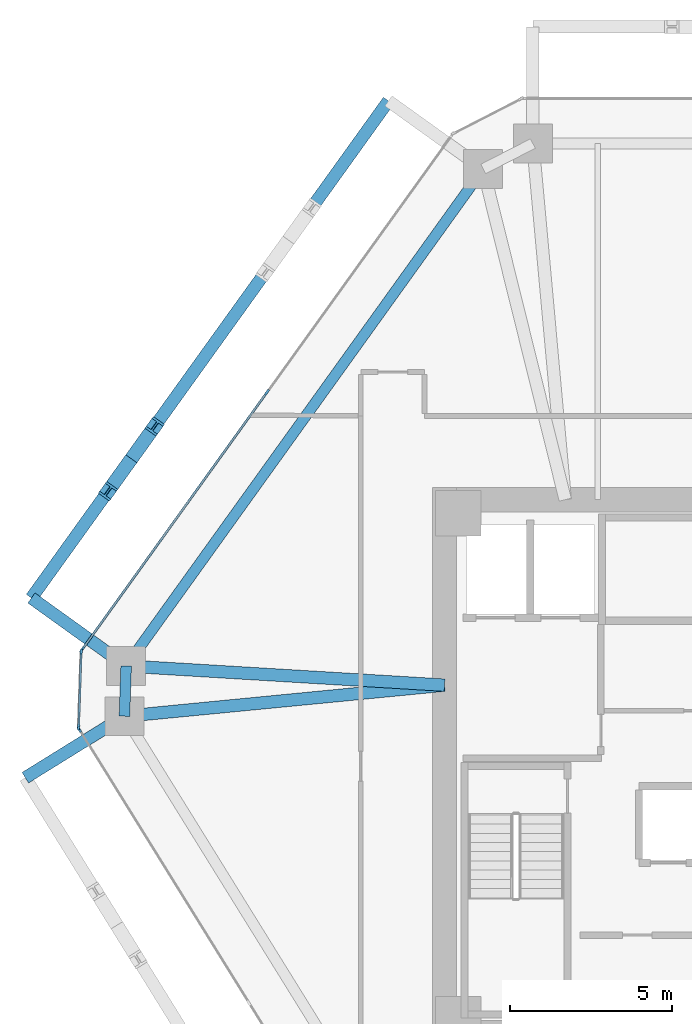
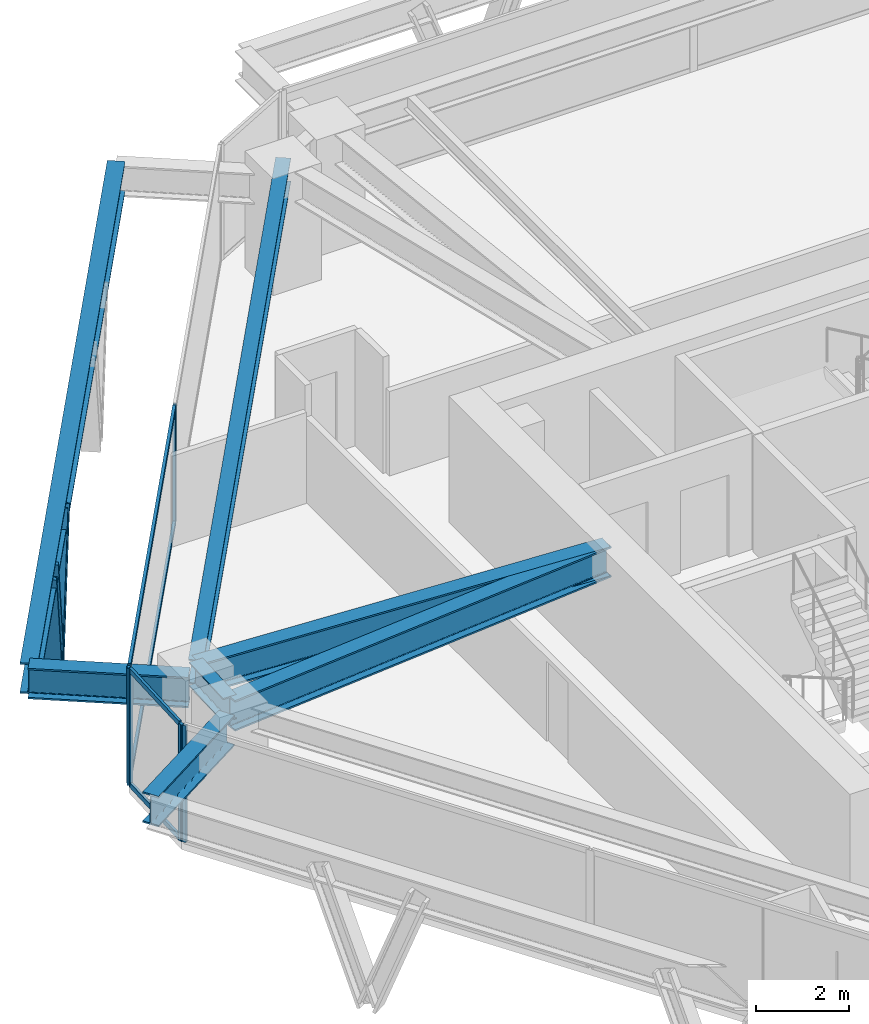
# One storey, part 4 of 13: 11 members, 7 beams, 3 elements without a shape of their own.
"""IFC4 building model written with IfcOpenShell, lengths in metres."""

from ifc_helpers import new_model, si_unit, direction, frame, origin, origin_2d, place, context, subcontext, project, spatial, rectangle, i_section, extrude, source, transform, mapped, material, layer, layer_set, material_profile, profile_set, type_object, type_shapes, element, aggregate, save


model = new_model("IFC4")

# Units and contexts
model_context = context("Model", 3, precision=1e-05, world=origin(), true_north=direction((0.0, 1.0)))
body_context = subcontext(model_context, "Body", "Model", "MODEL_VIEW")
ifc_project = project(units=[si_unit("LENGTHUNIT", "METRE"), si_unit("AREAUNIT", "SQUARE_METRE"), si_unit("VOLUMEUNIT", "CUBIC_METRE"), si_unit("PLANEANGLEUNIT", "RADIAN"), si_unit("MASSUNIT", "GRAM", prefix="KILO")], contexts=[model_context])

# Site, building, storey
site_placement = place(None, origin())
site = spatial("IfcSite", under=ifc_project, at=site_placement, CompositionType="ELEMENT")
building_placement = place(site_placement, origin())
building = spatial("IfcBuilding", under=site, at=building_placement, Name="Durnholm Broadcast Tower", CompositionType="ELEMENT")
storey_placement = place(building_placement, frame((0.0, 0.0, 100.800048828125)))
storey = spatial("IfcBuildingStorey", under=building, at=storey_placement, Name="L26", CompositionType="ELEMENT", Elevation=100.800048828125)

# Beams
ifc_material_1 = material(Name="Steel ASTM A992 Grade 50", Category="steel")
ifc_material_profile_1 = material_profile(ifc_material_1, i_section(OverallWidth=0.385009765625, OverallDepth=0.802978515625, WebThickness=0.023681640625, FlangeThickness=0.0419921875, FilletRadius=0.032958984375, at=origin_2d()), Name="W30X261")
ifc_profile_set_1 = profile_set([ifc_material_profile_1], Name="Steel ASTM A992 Grade 50")
beam_type_1 = type_object("IfcBeamType", Name="BM-EXO-TIE", PredefinedType="USERDEFINED", material=ifc_profile_set_1)
shared_shape_1 = source(origin(), body_context, "Body", "SweptSolid", [
    extrude(i_section(OverallWidth=0.385009765625, OverallDepth=0.802978515625, WebThickness=0.023681640625, FlangeThickness=0.0419921875, FilletRadius=0.032958984375, at=origin_2d()), origin(), (0.0, 0.0, 1.0), 3.4560546875),
])
for number, where, z_axis, x_axis, name in (
    (1, (-20.1669921875, 3.175048828125, 2.30859375), (-0.812164951739, 0.583427880005, 0.0), (-0.583427880005, -0.812164951739, 0.0), "L26 exoskeleton stand-off tie bracket F5.2"),
    (2, (-20.22509765625, 1.465576171875, 2.30859375), (-0.849795112316, -0.527113144481, 0.0), (0.527113144481, -0.849795112316, 0.0), "L26 exoskeleton stand-off tie bracket F6.1"),
):
    element("IfcBeam", number, at=place(storey_placement, frame(where, z_axis=z_axis, x_axis=x_axis)), inside=storey, type_object=beam_type_1, Name=name, ObjectType="GIRDER", PredefinedType="USERDEFINED", context=body_context, shape_type="MappedRepresentation", body=[
        mapped(shared_shape_1, transform((0.0, 0.0, 0.0), x_axis=(1.0, 0.0, 0.0), y_axis=(0.0, 1.0, 0.0), z_axis=(0.0, 0.0, 1.0), scale=1.0)),
    ])
ifc_material_profile_2 = material_profile(ifc_material_1, i_section(OverallWidth=0.3291015625, OverallDepth=0.635009765625, WebThickness=0.017822265625, FlangeThickness=0.031005859375, FilletRadius=0.02783203125, at=origin_2d()), Name="W24X162")
ifc_profile_set_2 = profile_set([ifc_material_profile_2], Name="Steel ASTM A992 Grade 50")
beam_type_2 = type_object("IfcBeamType", Name="STL-SP-W24X162", PredefinedType="SPANDREL", material=ifc_profile_set_2)
shared_shape_2 = source(origin(), body_context, "Body", "SweptSolid", [
    extrude(i_section(OverallWidth=0.3291015625, OverallDepth=0.635009765625, WebThickness=0.017822265625, FlangeThickness=0.031005859375, FilletRadius=0.02783203125, at=origin_2d()), origin(), (0.0, 0.0, 1.0), 1.550537109375),
])
beam_1_placement = place(storey_placement, frame((-20.102783203125, 1.54150390625, 2.7275390625), z_axis=(0.034012135923, 0.999421419928, 0.0), x_axis=(-0.999421419928, 0.034012135923, 0.0)))
element("IfcBeam", 3, at=beam_1_placement, inside=storey, type_object=beam_type_2, Name="L26 perimeter spandrel girder 02", PredefinedType="SPANDREL", context=body_context, shape_type="MappedRepresentation", body=[
    mapped(shared_shape_2, transform((0.0, 0.0, 0.0), x_axis=(1.0, 0.0, 0.0), y_axis=(0.0, 1.0, 0.0), z_axis=(0.0, 0.0, 1.0), scale=1.0)),
])
shared_shape_3 = source(origin(), body_context, "Body", "SweptSolid", [
    extrude(i_section(OverallWidth=0.3291015625, OverallDepth=0.635009765625, WebThickness=0.017822265625, FlangeThickness=0.031005859375, FilletRadius=0.02783203125, at=origin_2d()), origin(), (0.0, 0.0, 1.0), 18.884521484375),
])
type_shapes(beam_type_2, [shared_shape_2, shared_shape_3])
beam_2_placement = place(storey_placement, frame((-20.050048828125, 3.091064453125, 2.7275390625), z_axis=(0.583443434414, 0.812153777827, 0.0), x_axis=(-0.812153777827, 0.583443434414, 0.0)))
element("IfcBeam", 4, at=beam_2_placement, inside=storey, type_object=beam_type_2, Name="L26 perimeter spandrel girder 03", PredefinedType="SPANDREL", context=body_context, shape_type="MappedRepresentation", body=[
    mapped(shared_shape_3, transform((0.0, 0.0, 0.0), x_axis=(1.0, 0.0, 0.0), y_axis=(0.0, 1.0, 0.0), z_axis=(0.0, 0.0, 1.0), scale=1.0)),
])
ifc_material_profile_3 = material_profile(ifc_material_1, i_section(OverallWidth=0.385009765625, OverallDepth=0.802978515625, WebThickness=0.023681640625, FlangeThickness=0.0419921875, FilletRadius=0.032958984375, at=origin_2d()), Name="W30X261")
ifc_profile_set_3 = profile_set([ifc_material_profile_3], Name="Steel ASTM A992 Grade 50")
beam_type_3 = type_object("IfcBeamType", Name="STL-GR-W30X261", PredefinedType="USERDEFINED", material=ifc_profile_set_3)
shared_shape_4 = source(origin(), body_context, "Body", "SweptSolid", [
    extrude(i_section(OverallWidth=0.385009765625, OverallDepth=0.802978515625, WebThickness=0.023681640625, FlangeThickness=0.0419921875, FilletRadius=0.032958984375, at=origin_2d()), origin(), (0.0, 0.0, 1.0), 9.924072265625),
])
beam_3_placement = place(storey_placement, frame((-10.22509765625, 2.5, 2.6435546875), z_axis=(-0.995324947968, -0.096582855378, 0.0), x_axis=(0.096582855378, -0.995324947968, 0.0)))
element("IfcBeam", 5, at=beam_3_placement, inside=storey, type_object=beam_type_3, Name="L26 radial primary floor girder 02", ObjectType="GIRDER", PredefinedType="USERDEFINED", context=body_context, shape_type="MappedRepresentation", body=[
    mapped(shared_shape_4, transform((0.0, 0.0, 0.0), x_axis=(1.0, 0.0, 0.0), y_axis=(0.0, 1.0, 0.0), z_axis=(0.0, 0.0, 1.0), scale=1.0)),
])
shared_shape_5 = source(origin(), body_context, "Body", "SweptSolid", [
    extrude(i_section(OverallWidth=0.385009765625, OverallDepth=0.802978515625, WebThickness=0.023681640625, FlangeThickness=0.0419921875, FilletRadius=0.032958984375, at=origin_2d()), origin(), (0.0, 0.0, 1.0), 9.8427734375),
])
type_shapes(beam_type_3, [shared_shape_4, shared_shape_5])
beam_4_placement = place(storey_placement, frame((-10.22509765625, 2.5, 2.6435546875), z_axis=(-0.998195312551, 0.0600509617, 0.0), x_axis=(-0.0600509617, -0.998195312551, 0.0)))
element("IfcBeam", 6, at=beam_4_placement, inside=storey, type_object=beam_type_3, Name="L26 radial primary floor girder 03", ObjectType="GIRDER", PredefinedType="USERDEFINED", context=body_context, shape_type="MappedRepresentation", body=[
    mapped(shared_shape_5, transform((0.0, 0.0, 0.0), x_axis=(1.0, 0.0, 0.0), y_axis=(0.0, 1.0, 0.0), z_axis=(0.0, 0.0, 1.0), scale=1.0)),
])
shared_shape_6 = source(origin(), body_context, "Body", "SweptSolid", [
    extrude(i_section(OverallWidth=0.385009765625, OverallDepth=0.802978515625, WebThickness=0.023681640625, FlangeThickness=0.0419921875, FilletRadius=0.032958984375, at=origin_2d()), origin(), (0.0, 0.0, 1.0), 18.884765625),
])
type_shapes(beam_type_1, [shared_shape_1, shared_shape_6])
beam_5_placement = place(storey_placement, frame((-11.955810546875, 20.52880859375, 2.30859375), z_axis=(-0.583437308554, -0.812158178551, 0.0), x_axis=(0.812158178551, -0.583437308554, 0.0)))
element("IfcBeam", 7, at=beam_5_placement, inside=storey, type_object=beam_type_1, Name="L26 exoskeleton collector spandrel F5", PredefinedType="SPANDREL", context=body_context, shape_type="MappedRepresentation", body=[
    mapped(shared_shape_6, transform((0.0, 0.0, 0.0), x_axis=(1.0, 0.0, 0.0), y_axis=(0.0, 1.0, 0.0), z_axis=(0.0, 0.0, 1.0), scale=1.0)),
])

# Members
ifc_material_2 = material(Name="Steel ASTM A913 Grade 65", Category="steel")
ifc_material_profile_4 = material_profile(ifc_material_2, i_section(OverallWidth=0.424072265625, OverallDepth=0.47412109375, WebThickness=0.047607421875, FlangeThickness=0.0771484375, FilletRadius=0.030517578125, at=origin_2d()), Name="W14X426")
ifc_profile_set_4 = profile_set([ifc_material_profile_4], Name="Steel ASTM A913 Grade 65")
member_type_1 = type_object("IfcMemberType", Name="STL-DG-W14X426", PredefinedType="BRACE", material=ifc_profile_set_4)
shared_shape_7 = source(origin(), body_context, "Body", "SweptSolid", [
    extrude(i_section(OverallWidth=0.424072265625, OverallDepth=0.47412109375, WebThickness=0.047607421875, FlangeThickness=0.0771484375, FilletRadius=0.030517578125, at=origin_2d()), origin(), (0.0, 0.0, 1.0), 3.523193359375),
])
type_shapes(member_type_1, [shared_shape_7])
for number, where, z_axis, x_axis, name in (
    (8, (-19.888916015625, 9.48583984375, -0.991455078125), (0.204350195342, 0.284454917557, 0.936657033039), (-0.812153063014, 0.583444429434, 0.0), "L26 stand-off diagrid brace F5.D2.1"),
    (9, (-19.888916015625, 9.48583984375, -0.991455078125), (-0.204287819296, -0.284395254542, 0.936688756248), (0.812179469647, -0.583407669717, 0.0), "L26 stand-off diagrid brace F5.D2.2"),
):
    element("IfcMember", number, at=place(storey_placement, frame(where, z_axis=z_axis, x_axis=x_axis)), inside=storey, type_object=member_type_1, Name=name, PredefinedType="BRACE", context=body_context, shape_type="MappedRepresentation", body=[
        mapped(shared_shape_7, transform((0.0, 0.0, 0.0), x_axis=(1.0, 0.0, 0.0), y_axis=(0.0, 1.0, 0.0), z_axis=(0.0, 0.0, 1.0), scale=1.0)),
    ])

# Curtain wall, members
ifc_material_3 = material(Name="Aluminium and Solar Control IGU", Category="aluminium")
ifc_layer_1 = layer(ifc_material_3, 0.1650390625)
ifc_layer_set_1 = layer_set([ifc_layer_1], Name="Aluminium and Solar Control IGU")
curtain_wall_type_1 = type_object("IfcCurtainWallType", Name="CW-SYS-5", PredefinedType="NOTDEFINED", material=ifc_layer_set_1)
curtain_wall_1_placement = place(storey_placement, origin())
curtain_wall_1 = element("IfcCurtainWall", 10, at=curtain_wall_1_placement, inside=storey, type_object=curtain_wall_type_1, Name="L26 curtain wall CW-CORNER CW-L26-CRN-01", PredefinedType="NOTDEFINED")
ifc_material_4 = material(Name="Aluminium 6063-T6", Category="aluminium")
ifc_material_profile_5 = material_profile(ifc_material_4, rectangle(XDim=0.06494140625, YDim=0.1650390625, at=origin_2d()), Name="CWM65X165")
ifc_profile_set_5 = profile_set([ifc_material_profile_5], Name="Aluminium 6063-T6")
member_type_2 = type_object("IfcMemberType", Name="CW-SYS-5-MUL", PredefinedType="MULLION", material=ifc_profile_set_5)
shared_shape_8 = source(origin(), body_context, "Body", "SweptSolid", [
    extrude(rectangle(XDim=0.06494140625, YDim=0.1650390625, at=origin_2d()), origin(), (0.0, 0.0, 1.0), 3.06005859375),
])
type_shapes(member_type_2, [shared_shape_8])
member_1_placement = place(storey_placement, frame((-21.51513671875, 1.19677734375, 0.0), z_axis=(0.0, 0.0, 1.0), x_axis=(-0.999424655155, 0.033916937775, 0.0)))
member_1 = element("IfcMember", 11, at=member_1_placement, type_object=member_type_2, Name="CW-CORNER mullion 1", PredefinedType="MULLION", context=body_context, shape_type="MappedRepresentation", body=[
    mapped(shared_shape_8, transform((0.0, 0.0, 0.0), x_axis=(1.0, 0.0, 0.0), y_axis=(0.0, 1.0, 0.0), z_axis=(0.0, 0.0, 1.0), scale=1.0)),
])
member_2_placement = place(storey_placement, frame((-21.43603515625, 3.530517578125, 0.0), z_axis=(0.0, 0.0, 1.0), x_axis=(-0.999424655155, 0.033916937775, 0.0)))
member_2 = element("IfcMember", 12, at=member_2_placement, type_object=member_type_2, Name="CW-CORNER mullion 2", PredefinedType="MULLION", context=body_context, shape_type="MappedRepresentation", body=[
    mapped(shared_shape_8, transform((0.0, 0.0, 0.0), x_axis=(1.0, 0.0, 0.0), y_axis=(0.0, 1.0, 0.0), z_axis=(0.0, 0.0, 1.0), scale=1.0)),
])

ifc_layer_2 = layer(ifc_material_3, 0.18994140625)
ifc_layer_set_2 = layer_set([ifc_layer_2], Name="Aluminium and Solar Control IGU")
curtain_wall_type_2 = type_object("IfcCurtainWallType", Name="CW-SYS-3", PredefinedType="NOTDEFINED", material=ifc_layer_set_2)
curtain_wall_2_placement = place(storey_placement, origin())
curtain_wall_2 = element("IfcCurtainWall", 13, at=curtain_wall_2_placement, inside=storey, type_object=curtain_wall_type_2, Name="L26 curtain wall CW-Z12-VIS CW-L26-F02", PredefinedType="NOTDEFINED")
ifc_material_profile_6 = material_profile(ifc_material_4, rectangle(XDim=0.070068359375, YDim=0.18994140625, at=origin_2d()), Name="CWM70X190")
ifc_profile_set_6 = profile_set([ifc_material_profile_6], Name="Aluminium 6063-T6")
member_type_3 = type_object("IfcMemberType", Name="CW-SYS-3-MUL", PredefinedType="MULLION", material=ifc_profile_set_6)
shared_shape_9 = source(origin(), body_context, "Body", "SweptSolid", [
    extrude(rectangle(XDim=0.070068359375, YDim=0.18994140625, at=origin_2d()), origin(), (0.0, 0.0, 1.0), 3.06005859375),
])
type_shapes(member_type_3, [shared_shape_9])
member_3_placement = place(storey_placement, frame((-21.41455078125, 3.59130859375, 0.0), z_axis=(0.0, 0.0, 1.0), x_axis=(-0.812152312759, 0.583445473786, 0.0)))
member_3 = element("IfcMember", 14, at=member_3_placement, type_object=member_type_3, Name="CW-Z12-VIS mullion 1", PredefinedType="MULLION", context=body_context, shape_type="MappedRepresentation", body=[
    mapped(shared_shape_9, transform((0.0, 0.0, 0.0), x_axis=(1.0, 0.0, 0.0), y_axis=(0.0, 1.0, 0.0), z_axis=(0.0, 0.0, 1.0), scale=1.0)),
])
member_4_placement = place(storey_placement, frame((-15.703369140625, 11.541259765625, 0.0), z_axis=(0.0, 0.0, 1.0), x_axis=(-0.812152312759, 0.583445473786, 0.0)))
member_4 = element("IfcMember", 15, at=member_4_placement, type_object=member_type_3, Name="CW-Z12-VIS mullion 2", PredefinedType="MULLION", context=body_context, shape_type="MappedRepresentation", body=[
    mapped(shared_shape_9, transform((0.0, 0.0, 0.0), x_axis=(1.0, 0.0, 0.0), y_axis=(0.0, 1.0, 0.0), z_axis=(0.0, 0.0, 1.0), scale=1.0)),
])

# Curtain wall, member
curtain_wall_3_placement = place(storey_placement, origin())
curtain_wall_3 = element("IfcCurtainWall", 16, at=curtain_wall_3_placement, inside=storey, type_object=curtain_wall_type_2, Name="L26 curtain wall CW-Z12-VIS CW-L26-F12", PredefinedType="NOTDEFINED")
member_5_placement = place(storey_placement, frame((-21.497802734375, 1.134765625, 0.0), z_axis=(0.0, 0.0, 1.0), x_axis=(-0.849799925229, -0.527105385176, 0.0)))
member_5 = element("IfcMember", 17, at=member_5_placement, type_object=member_type_3, Name="CW-Z12-VIS mullion 3", PredefinedType="MULLION", context=body_context, shape_type="MappedRepresentation", body=[
    mapped(shared_shape_9, transform((0.0, 0.0, 0.0), x_axis=(1.0, 0.0, 0.0), y_axis=(0.0, 1.0, 0.0), z_axis=(0.0, 0.0, 1.0), scale=1.0)),
])
aggregate(curtain_wall_3, [member_5])

# Member
ifc_material_profile_7 = material_profile(ifc_material_4, rectangle(XDim=0.06494140625, YDim=0.1298828125, at=origin_2d()), Name="CWT65X130")
ifc_profile_set_7 = profile_set([ifc_material_profile_7], Name="Aluminium 6063-T6")
member_type_4 = type_object("IfcMemberType", Name="CW-SYS-5-TRN", PredefinedType="USERDEFINED", material=ifc_profile_set_7)
shared_shape_10 = source(origin(), body_context, "Body", "SweptSolid", [
    extrude(rectangle(XDim=0.06494140625, YDim=0.1298828125, at=origin_2d()), origin(), (0.0, 0.0, 1.0), 2.27001953125),
])
type_shapes(member_type_4, [shared_shape_10])
member_6_placement = place(storey_placement, frame((-21.51416015625, 1.229248046875, 0.032470703125), z_axis=(0.03398444704, 0.999422361847, 0.0), x_axis=(-0.999422361847, 0.03398444704, 0.0)))
member_6 = element("IfcMember", 18, at=member_6_placement, type_object=member_type_4, Name="CW-CORNER transom 1.1", ObjectType="TRANSOM", PredefinedType="USERDEFINED", context=body_context, shape_type="MappedRepresentation", body=[
    mapped(shared_shape_10, transform((0.0, 0.0, 0.0), x_axis=(1.0, 0.0, 0.0), y_axis=(0.0, 1.0, 0.0), z_axis=(0.0, 0.0, 1.0), scale=1.0)),
])

member_7_placement = place(storey_placement, frame((-21.51416015625, 1.229248046875, 3.02734375), z_axis=(0.03398444704, 0.999422361847, 0.0), x_axis=(-0.999422361847, 0.03398444704, 0.0)))
member_7 = element("IfcMember", 19, at=member_7_placement, type_object=member_type_4, Name="CW-CORNER transom 1.2", ObjectType="TRANSOM", PredefinedType="USERDEFINED", context=body_context, shape_type="MappedRepresentation", body=[
    mapped(shared_shape_10, transform((0.0, 0.0, 0.0), x_axis=(1.0, 0.0, 0.0), y_axis=(0.0, 1.0, 0.0), z_axis=(0.0, 0.0, 1.0), scale=1.0)),
])

aggregate(curtain_wall_1, [member_1, member_2, member_6, member_7])

ifc_material_profile_8 = material_profile(ifc_material_4, rectangle(XDim=0.070068359375, YDim=0.14990234375, at=origin_2d()), Name="CWT70X150")
ifc_profile_set_8 = profile_set([ifc_material_profile_8], Name="Aluminium 6063-T6")
member_type_5 = type_object("IfcMemberType", Name="CW-SYS-3-TRN", PredefinedType="USERDEFINED", material=ifc_profile_set_8)
shared_shape_11 = source(origin(), body_context, "Body", "SweptSolid", [
    extrude(rectangle(XDim=0.070068359375, YDim=0.14990234375, at=origin_2d()), origin(), (0.0, 0.0, 1.0), 9.71875),
])
type_shapes(member_type_5, [shared_shape_11])
member_8_placement = place(storey_placement, frame((-21.39404296875, 3.619873046875, 0.034912109375), z_axis=(0.583450726174, 0.812148539448, 0.0), x_axis=(-0.812148539448, 0.583450726174, 0.0)))
member_8 = element("IfcMember", 20, at=member_8_placement, type_object=member_type_5, Name="CW-Z12-VIS transom 1.1", ObjectType="TRANSOM", PredefinedType="USERDEFINED", context=body_context, shape_type="MappedRepresentation", body=[
    mapped(shared_shape_11, transform((0.0, 0.0, 0.0), x_axis=(1.0, 0.0, 0.0), y_axis=(0.0, 1.0, 0.0), z_axis=(0.0, 0.0, 1.0), scale=1.0)),
])

member_9_placement = place(storey_placement, frame((-21.39404296875, 3.619873046875, 3.02490234375), z_axis=(0.583450726174, 0.812148539448, 0.0), x_axis=(-0.812148539448, 0.583450726174, 0.0)))
member_9 = element("IfcMember", 21, at=member_9_placement, type_object=member_type_5, Name="CW-Z12-VIS transom 1.2", ObjectType="TRANSOM", PredefinedType="USERDEFINED", context=body_context, shape_type="MappedRepresentation", body=[
    mapped(shared_shape_11, transform((0.0, 0.0, 0.0), x_axis=(1.0, 0.0, 0.0), y_axis=(0.0, 1.0, 0.0), z_axis=(0.0, 0.0, 1.0), scale=1.0)),
])

aggregate(curtain_wall_2, [member_3, member_4, member_8, member_9])

save(model, "model.ifc")
